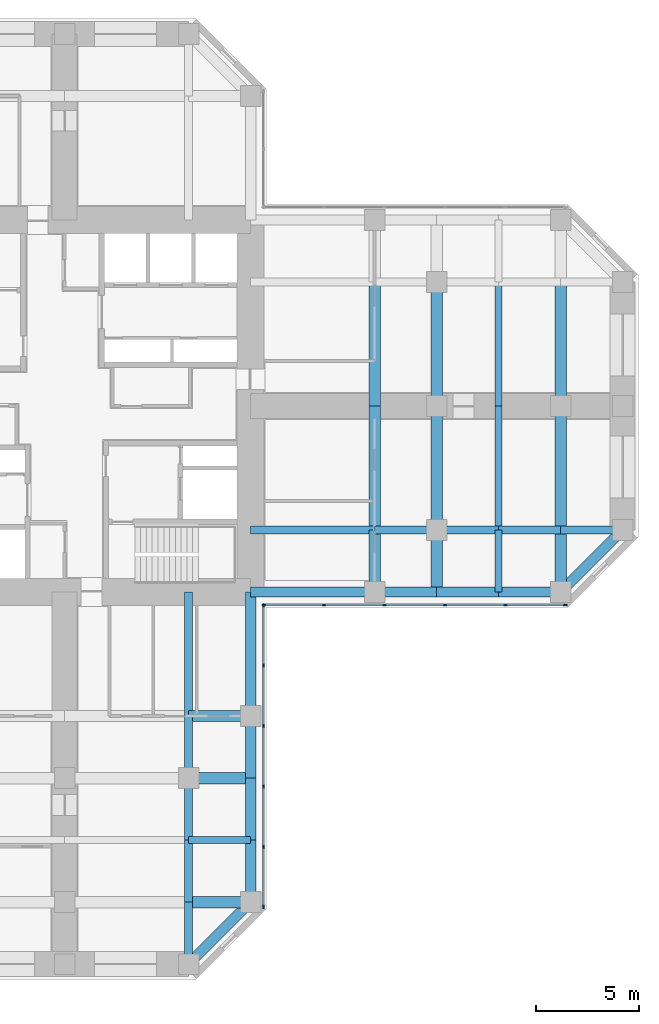
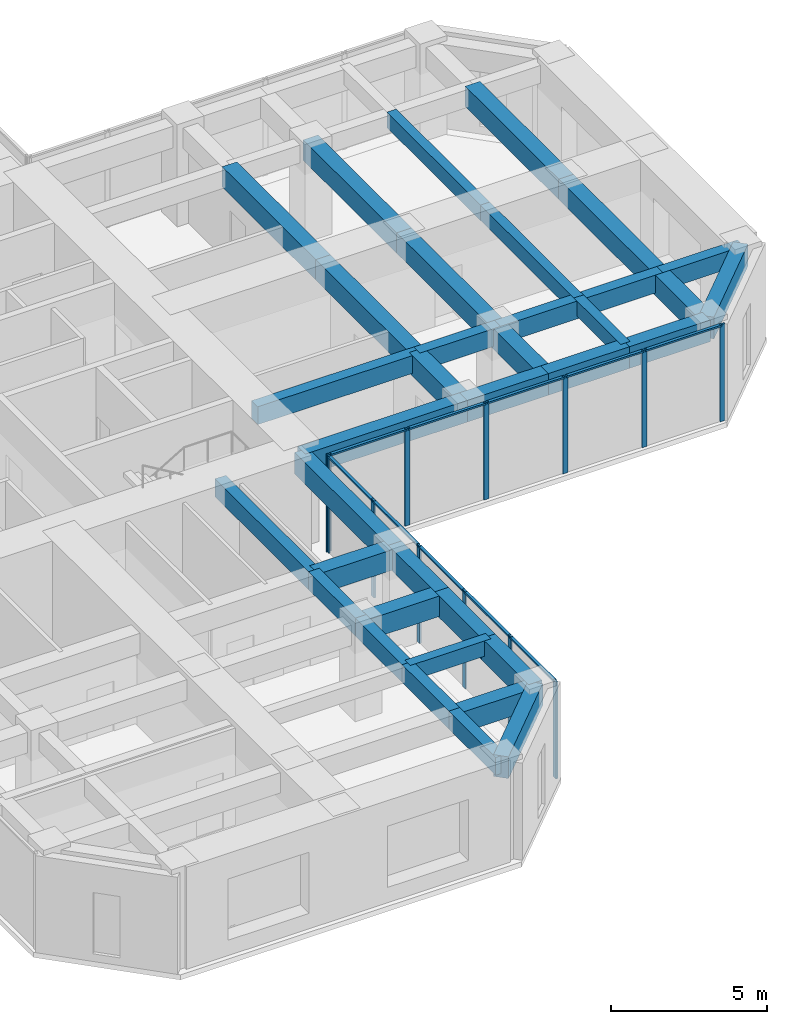
# One storey, part 4 of 12: 36 beams, 22 members, 2 elements without a shape of their own.
"""IFC4 building model written with IfcOpenShell, lengths in metres."""

from ifc_helpers import new_model, si_unit, direction, frame, origin, origin_2d, place, context, subcontext, project, spatial, rectangle, extrude, material, material_profile, profile_set, type_object, element, aggregate, save


model = new_model("IFC4")

# Units and contexts
model_context = context("Model", 3, precision=1e-05, world=origin(), true_north=direction((0.0, 1.0)))
body_context = subcontext(model_context, "Body", "Model", "MODEL_VIEW")
ifc_project = project(units=[si_unit("LENGTHUNIT", "METRE"), si_unit("AREAUNIT", "SQUARE_METRE"), si_unit("VOLUMEUNIT", "CUBIC_METRE"), si_unit("PLANEANGLEUNIT", "RADIAN"), si_unit("MASSUNIT", "GRAM", prefix="KILO")], contexts=[model_context])

# Site, building, storey
site_placement = place(None, origin())
site = spatial("IfcSite", under=ifc_project, at=site_placement, CompositionType="ELEMENT")
building_placement = place(site_placement, origin())
building = spatial("IfcBuilding", under=site, at=building_placement, Name="Torre Cruceta", CompositionType="ELEMENT")
storey_placement = place(building_placement, frame((0.0, 0.0, 136.5)))
storey = spatial("IfcBuildingStorey", under=building, at=storey_placement, Name="L33", CompositionType="ELEMENT", Elevation=136.5)

# Beams
ifc_material_1 = material(Name="Concrete G60 (fck 60 MPa)", Category="concrete")
ifc_material_profile_1 = material_profile(ifc_material_1, rectangle(XDim=0.39990234375, YDim=0.699951171875, at=origin_2d()), Name="RC 400X700")
ifc_profile_set_1 = profile_set([ifc_material_profile_1], Name="Concrete G60 (fck 60 MPa)")
beam_type_1 = type_object("IfcBeamType", Name="COLUMN LINE BEAM RC 400X700", PredefinedType="BEAM", material=ifc_profile_set_1)
beam_1_placement = place(storey_placement, frame((9.0, -6.0, 3.449951171875), z_axis=(1.0, 0.0, 0.0), x_axis=(0.0, 1.0, 0.0)))
element("IfcBeam", 1, at=beam_1_placement, inside=storey, type_object=beam_type_1, Name="LB5 L33 E col- 1", PredefinedType="BEAM", context=body_context, shape_type="SweptSolid", body=[
    extrude(rectangle(XDim=0.39990234375, YDim=0.699951171875, at=origin_2d()), origin(), (0.0, 0.0, 1.0), 6.0),
])
for number, where, z_axis, x_axis, name in (
    (2, (15.0, -6.0, 3.449951171875), (1.0, 0.0, 0.0), (0.0, 1.0, 0.0), "LB5 L33 E col- 2"),
    (3, (18.0, -6.0, 3.449951171875), (1.0, 0.0, 0.0), (0.0, 1.0, 0.0), "LB5 L33 E col- 3"),
    (4, (21.0, -6.0, 3.449951171875), (1.0, 0.0, 0.0), (0.0, 1.0, 0.0), "LB5 L33 E col- 4"),
    (5, (24.0, -6.0, 3.449951171875), (1.0, 0.0, 0.0), (0.0, 1.0, 0.0), "LB5 L33 E col- 5"),
):
    element("IfcBeam", number, at=place(storey_placement, frame(where, z_axis=z_axis, x_axis=x_axis)), inside=storey, type_object=beam_type_1, Name=name, PredefinedType="BEAM", context=body_context, shape_type="SweptSolid", body=[
        extrude(rectangle(XDim=0.39990234375, YDim=0.699951171875, at=origin_2d()), origin(), (0.0, 0.0, 1.0), 3.0),
    ])
beam_2_placement = place(storey_placement, frame((6.0, -9.0, 3.449951171875), z_axis=(0.0, -1.0, 0.0), x_axis=(1.0, 0.0, 0.0)))
element("IfcBeam", 6, at=beam_2_placement, inside=storey, type_object=beam_type_1, Name="LB5 L33 S col+ 1", PredefinedType="BEAM", context=body_context, shape_type="SweptSolid", body=[
    extrude(rectangle(XDim=0.39990234375, YDim=0.699951171875, at=origin_2d()), origin(), (0.0, 0.0, 1.0), 6.0),
])
for number, where, z_axis, x_axis, name in (
    (7, (6.0, -15.0, 3.449951171875), (0.0, -1.0, 0.0), (1.0, 0.0, 0.0), "LB5 L33 S col+ 2"),
    (8, (6.0, -18.0, 3.449951171875), (0.0, -1.0, 0.0), (1.0, 0.0, 0.0), "LB5 L33 S col+ 3"),
    (9, (6.0, -21.0, 3.449951171875), (0.0, -1.0, 0.0), (1.0, 0.0, 0.0), "LB5 L33 S col+ 4"),
    (10, (6.0, -24.0, 3.449951171875), (0.0, -1.0, 0.0), (1.0, 0.0, 0.0), "LB5 L33 S col+ 5"),
):
    element("IfcBeam", number, at=place(storey_placement, frame(where, z_axis=z_axis, x_axis=x_axis)), inside=storey, type_object=beam_type_1, Name=name, PredefinedType="BEAM", context=body_context, shape_type="SweptSolid", body=[
        extrude(rectangle(XDim=0.39990234375, YDim=0.699951171875, at=origin_2d()), origin(), (0.0, 0.0, 1.0), 3.0),
    ])
ifc_material_2 = material(Name="Concrete G60 (fck 60 MPa)", Category="concrete")
ifc_material_profile_2 = material_profile(ifc_material_2, rectangle(XDim=0.550048828125, YDim=0.800048828125, at=origin_2d()), Name="RC 550X800")
ifc_profile_set_2 = profile_set([ifc_material_profile_2], Name="Concrete G60 (fck 60 MPa)")
beam_type_2 = type_object("IfcBeamType", Name="CROSS BEAM RC 550X800", PredefinedType="BEAM", material=ifc_profile_set_2)
beam_3_placement = place(storey_placement, frame((15.0, -9.0, 3.39990234375), z_axis=(0.0, 1.0, 0.0), x_axis=(-1.0, 0.0, 0.0)))
element("IfcBeam", 11, at=beam_3_placement, inside=storey, type_object=beam_type_2, Name="GB5 L33 E cross15 1", PredefinedType="BEAM", context=body_context, shape_type="SweptSolid", body=[
    extrude(rectangle(XDim=0.550048828125, YDim=0.800048828125, at=origin_2d()), origin(), (0.0, 0.0, 1.0), 3.0),
])
for number, where, z_axis, x_axis, name in (
    (12, (15.0, -6.0, 3.39990234375), (0.0, 1.0, 0.0), (-1.0, 0.0, 0.0), "GB5 L33 E cross15 2"),
    (13, (15.0, 0.0, 3.39990234375), (0.0, 1.0, 0.0), (-1.0, 0.0, 0.0), "GB5 L33 E cross15 3"),
):
    element("IfcBeam", number, at=place(storey_placement, frame(where, z_axis=z_axis, x_axis=x_axis)), inside=storey, type_object=beam_type_2, Name=name, PredefinedType="BEAM", context=body_context, shape_type="SweptSolid", body=[
        extrude(rectangle(XDim=0.550048828125, YDim=0.800048828125, at=origin_2d()), origin(), (0.0, 0.0, 1.0), 6.0),
    ])
beam_4_placement = place(storey_placement, frame((18.0, -9.0, 3.39990234375), z_axis=(0.0, 1.0, 0.0), x_axis=(-1.0, 0.0, 0.0)))
element("IfcBeam", 14, at=beam_4_placement, inside=storey, type_object=beam_type_2, Name="GB5 L33 E cross18 1", PredefinedType="BEAM", context=body_context, shape_type="SweptSolid", body=[
    extrude(rectangle(XDim=0.550048828125, YDim=0.800048828125, at=origin_2d()), origin(), (0.0, 0.0, 1.0), 3.0),
])
for number, where, z_axis, x_axis, name in (
    (15, (18.0, -6.0, 3.39990234375), (0.0, 1.0, 0.0), (-1.0, 0.0, 0.0), "GB5 L33 E cross18 2"),
    (16, (18.0, 0.0, 3.39990234375), (0.0, 1.0, 0.0), (-1.0, 0.0, 0.0), "GB5 L33 E cross18 3"),
):
    element("IfcBeam", number, at=place(storey_placement, frame(where, z_axis=z_axis, x_axis=x_axis)), inside=storey, type_object=beam_type_2, Name=name, PredefinedType="BEAM", context=body_context, shape_type="SweptSolid", body=[
        extrude(rectangle(XDim=0.550048828125, YDim=0.800048828125, at=origin_2d()), origin(), (0.0, 0.0, 1.0), 6.0),
    ])
beam_5_placement = place(storey_placement, frame((24.0, -9.0, 3.39990234375), z_axis=(0.0, 1.0, 0.0), x_axis=(-1.0, 0.0, 0.0)))
element("IfcBeam", 17, at=beam_5_placement, inside=storey, type_object=beam_type_2, Name="GB5 L33 E cross24 1", PredefinedType="BEAM", context=body_context, shape_type="SweptSolid", body=[
    extrude(rectangle(XDim=0.550048828125, YDim=0.800048828125, at=origin_2d()), origin(), (0.0, 0.0, 1.0), 3.0),
])
for number, where, z_axis, x_axis, name in (
    (18, (24.0, -6.0, 3.39990234375), (0.0, 1.0, 0.0), (-1.0, 0.0, 0.0), "GB5 L33 E cross24 2"),
    (19, (24.0, 0.0, 3.39990234375), (0.0, 1.0, 0.0), (-1.0, 0.0, 0.0), "GB5 L33 E cross24 3"),
):
    element("IfcBeam", number, at=place(storey_placement, frame(where, z_axis=z_axis, x_axis=x_axis)), inside=storey, type_object=beam_type_2, Name=name, PredefinedType="BEAM", context=body_context, shape_type="SweptSolid", body=[
        extrude(rectangle(XDim=0.550048828125, YDim=0.800048828125, at=origin_2d()), origin(), (0.0, 0.0, 1.0), 6.0),
    ])
for number, where, z_axis, x_axis, name in (
    (20, (6.0, -15.0, 3.39990234375), (1.0, 0.0, 0.0), (0.0, 1.0, 0.0), "GB5 L33 S cross15 4"),
    (21, (6.0, -18.0, 3.39990234375), (1.0, 0.0, 0.0), (0.0, 1.0, 0.0), "GB5 L33 S cross18 4"),
    (22, (6.0, -24.0, 3.39990234375), (1.0, 0.0, 0.0), (0.0, 1.0, 0.0), "GB5 L33 S cross24 4"),
):
    element("IfcBeam", number, at=place(storey_placement, frame(where, z_axis=z_axis, x_axis=x_axis)), inside=storey, type_object=beam_type_2, Name=name, PredefinedType="BEAM", context=body_context, shape_type="SweptSolid", body=[
        extrude(rectangle(XDim=0.550048828125, YDim=0.800048828125, at=origin_2d()), origin(), (0.0, 0.0, 1.0), 3.0),
    ])

# Curtain wall, members
ifc_material_3 = material(Name="Aluminium unitised curtain wall", Category="aluminium")
curtain_wall_type = type_object("IfcCurtainWallType", Name="CURTAIN WALL CW-B OFFICE MID RISE", PredefinedType="USERDEFINED", material=ifc_material_3)
curtain_wall_1_placement = place(storey_placement, origin())
curtain_wall_1 = element("IfcCurtainWall", 23, at=curtain_wall_1_placement, inside=storey, type_object=curtain_wall_type, Name="CW-B L33 E side 00", ObjectType="UNITISED", PredefinedType="USERDEFINED")
ifc_material_4 = material(Name="Aluminium mullion", Category="aluminium")
ifc_material_profile_3 = material_profile(ifc_material_4, rectangle(XDim=0.06494140625, YDim=0.179931640625, at=origin_2d()), Name="AL 65X180")
ifc_profile_set_3 = profile_set([ifc_material_profile_3], Name="Aluminium mullion")
member_type_1 = type_object("IfcMemberType", Name="CW-B MULLION 65X180", PredefinedType="MULLION", material=ifc_profile_set_3)
member_1_placement = place(storey_placement, frame((9.652587890625, -9.6201171875, 0.0), z_axis=(0.0, 0.0, 1.0), x_axis=(0.0, 1.0, 0.0)))
member_1 = element("IfcMember", 24, at=member_1_placement, type_object=member_type_1, Name="CW-B mullion 1", PredefinedType="MULLION", context=body_context, shape_type="SweptSolid", body=[
    extrude(rectangle(XDim=0.06494140625, YDim=0.179931640625, at=origin_2d()), origin(), (0.0, 0.0, 1.0), 3.800048828125),
])
member_2_placement = place(storey_placement, frame((12.54736328125, -9.6201171875, 0.0), z_axis=(0.0, 0.0, 1.0), x_axis=(0.0, 1.0, 0.0)))
member_2 = element("IfcMember", 25, at=member_2_placement, type_object=member_type_1, Name="CW-B mullion 2", PredefinedType="MULLION", context=body_context, shape_type="SweptSolid", body=[
    extrude(rectangle(XDim=0.06494140625, YDim=0.179931640625, at=origin_2d()), origin(), (0.0, 0.0, 1.0), 3.800048828125),
])
member_3_placement = place(storey_placement, frame((15.474609375, -9.6201171875, 0.0), z_axis=(0.0, 0.0, 1.0), x_axis=(0.0, 1.0, 0.0)))
member_3 = element("IfcMember", 26, at=member_3_placement, type_object=member_type_1, Name="CW-B mullion 3", PredefinedType="MULLION", context=body_context, shape_type="SweptSolid", body=[
    extrude(rectangle(XDim=0.06494140625, YDim=0.179931640625, at=origin_2d()), origin(), (0.0, 0.0, 1.0), 3.800048828125),
])
member_4_placement = place(storey_placement, frame((18.402099609375, -9.6201171875, 0.0), z_axis=(0.0, 0.0, 1.0), x_axis=(0.0, 1.0, 0.0)))
member_4 = element("IfcMember", 27, at=member_4_placement, type_object=member_type_1, Name="CW-B mullion 4", PredefinedType="MULLION", context=body_context, shape_type="SweptSolid", body=[
    extrude(rectangle(XDim=0.06494140625, YDim=0.179931640625, at=origin_2d()), origin(), (0.0, 0.0, 1.0), 3.800048828125),
])
member_5_placement = place(storey_placement, frame((21.329345703125, -9.6201171875, 0.0), z_axis=(0.0, 0.0, 1.0), x_axis=(0.0, 1.0, 0.0)))
member_5 = element("IfcMember", 28, at=member_5_placement, type_object=member_type_1, Name="CW-B mullion 5", PredefinedType="MULLION", context=body_context, shape_type="SweptSolid", body=[
    extrude(rectangle(XDim=0.06494140625, YDim=0.179931640625, at=origin_2d()), origin(), (0.0, 0.0, 1.0), 3.800048828125),
])
member_6_placement = place(storey_placement, frame((24.224365234375, -9.6201171875, 0.0), z_axis=(0.0, 0.0, 1.0), x_axis=(0.0, 1.0, 0.0)))
member_6 = element("IfcMember", 29, at=member_6_placement, type_object=member_type_1, Name="CW-B mullion 6", PredefinedType="MULLION", context=body_context, shape_type="SweptSolid", body=[
    extrude(rectangle(XDim=0.06494140625, YDim=0.179931640625, at=origin_2d()), origin(), (0.0, 0.0, 1.0), 3.800048828125),
])

curtain_wall_2_placement = place(storey_placement, origin())
curtain_wall_2 = element("IfcCurtainWall", 30, at=curtain_wall_2_placement, inside=storey, type_object=curtain_wall_type, Name="CW-B L33 S side 19", ObjectType="UNITISED", PredefinedType="USERDEFINED")
member_7_placement = place(storey_placement, frame((9.6201171875, -24.224365234375, 0.0), z_axis=(0.0, 0.0, 1.0), x_axis=(-1.0, 0.0, 0.0)))
member_7 = element("IfcMember", 31, at=member_7_placement, type_object=member_type_1, Name="CW-B mullion 1", PredefinedType="MULLION", context=body_context, shape_type="SweptSolid", body=[
    extrude(rectangle(XDim=0.06494140625, YDim=0.179931640625, at=origin_2d()), origin(), (0.0, 0.0, 1.0), 3.800048828125),
])
member_8_placement = place(storey_placement, frame((9.6201171875, -21.329345703125, 0.0), z_axis=(0.0, 0.0, 1.0), x_axis=(-1.0, 0.0, 0.0)))
member_8 = element("IfcMember", 32, at=member_8_placement, type_object=member_type_1, Name="CW-B mullion 2", PredefinedType="MULLION", context=body_context, shape_type="SweptSolid", body=[
    extrude(rectangle(XDim=0.06494140625, YDim=0.179931640625, at=origin_2d()), origin(), (0.0, 0.0, 1.0), 3.800048828125),
])
member_9_placement = place(storey_placement, frame((9.6201171875, -18.402099609375, 0.0), z_axis=(0.0, 0.0, 1.0), x_axis=(-1.0, 0.0, 0.0)))
member_9 = element("IfcMember", 33, at=member_9_placement, type_object=member_type_1, Name="CW-B mullion 3", PredefinedType="MULLION", context=body_context, shape_type="SweptSolid", body=[
    extrude(rectangle(XDim=0.06494140625, YDim=0.179931640625, at=origin_2d()), origin(), (0.0, 0.0, 1.0), 3.800048828125),
])
member_10_placement = place(storey_placement, frame((9.6201171875, -15.474609375, 0.0), z_axis=(0.0, 0.0, 1.0), x_axis=(-1.0, 0.0, 0.0)))
member_10 = element("IfcMember", 34, at=member_10_placement, type_object=member_type_1, Name="CW-B mullion 4", PredefinedType="MULLION", context=body_context, shape_type="SweptSolid", body=[
    extrude(rectangle(XDim=0.06494140625, YDim=0.179931640625, at=origin_2d()), origin(), (0.0, 0.0, 1.0), 3.800048828125),
])
member_11_placement = place(storey_placement, frame((9.6201171875, -12.54736328125, 0.0), z_axis=(0.0, 0.0, 1.0), x_axis=(-1.0, 0.0, 0.0)))
member_11 = element("IfcMember", 35, at=member_11_placement, type_object=member_type_1, Name="CW-B mullion 5", PredefinedType="MULLION", context=body_context, shape_type="SweptSolid", body=[
    extrude(rectangle(XDim=0.06494140625, YDim=0.179931640625, at=origin_2d()), origin(), (0.0, 0.0, 1.0), 3.800048828125),
])
member_12_placement = place(storey_placement, frame((9.6201171875, -9.652587890625, 0.0), z_axis=(0.0, 0.0, 1.0), x_axis=(-1.0, 0.0, 0.0)))
member_12 = element("IfcMember", 36, at=member_12_placement, type_object=member_type_1, Name="CW-B mullion 6", PredefinedType="MULLION", context=body_context, shape_type="SweptSolid", body=[
    extrude(rectangle(XDim=0.06494140625, YDim=0.179931640625, at=origin_2d()), origin(), (0.0, 0.0, 1.0), 3.800048828125),
])

# Member
ifc_material_5 = material(Name="Aluminium transom", Category="aluminium")
ifc_material_profile_4 = material_profile(ifc_material_5, rectangle(XDim=0.110107421875, YDim=0.06494140625, at=origin_2d()), Name="AL 110X65")
ifc_profile_set_4 = profile_set([ifc_material_profile_4], Name="Aluminium transom")
member_type_2 = type_object("IfcMemberType", Name="CW-B TRANSOM 65X110", PredefinedType="USERDEFINED", material=ifc_profile_set_4)
member_13_placement = place(storey_placement, frame((9.68505859375, -9.6201171875, 3.767578125), z_axis=(1.0, 0.0, 0.0), x_axis=(0.0, 1.0, 0.0)))
member_13 = element("IfcMember", 37, at=member_13_placement, type_object=member_type_2, Name="CW-B transom 1", ObjectType="TRANSOM", PredefinedType="USERDEFINED", context=body_context, shape_type="SweptSolid", body=[
    extrude(rectangle(XDim=0.110107421875, YDim=0.06494140625, at=origin_2d()), origin(), (0.0, 0.0, 1.0), 2.829833984375),
])

member_14_placement = place(storey_placement, frame((12.579833984375, -9.6201171875, 3.767578125), z_axis=(1.0, 0.0, 0.0), x_axis=(0.0, 1.0, 0.0)))
member_14 = element("IfcMember", 38, at=member_14_placement, type_object=member_type_2, Name="CW-B transom 2", ObjectType="TRANSOM", PredefinedType="USERDEFINED", context=body_context, shape_type="SweptSolid", body=[
    extrude(rectangle(XDim=0.110107421875, YDim=0.06494140625, at=origin_2d()), origin(), (0.0, 0.0, 1.0), 2.8623046875),
])

member_15_placement = place(storey_placement, frame((15.50732421875, -9.6201171875, 3.767578125), z_axis=(1.0, 0.0, 0.0), x_axis=(0.0, 1.0, 0.0)))
member_15 = element("IfcMember", 39, at=member_15_placement, type_object=member_type_2, Name="CW-B transom 3", ObjectType="TRANSOM", PredefinedType="USERDEFINED", context=body_context, shape_type="SweptSolid", body=[
    extrude(rectangle(XDim=0.110107421875, YDim=0.06494140625, at=origin_2d()), origin(), (0.0, 0.0, 1.0), 2.8623046875),
])

member_16_placement = place(storey_placement, frame((18.4345703125, -9.6201171875, 3.767578125), z_axis=(1.0, 0.0, 0.0), x_axis=(0.0, 1.0, 0.0)))
member_16 = element("IfcMember", 40, at=member_16_placement, type_object=member_type_2, Name="CW-B transom 4", ObjectType="TRANSOM", PredefinedType="USERDEFINED", context=body_context, shape_type="SweptSolid", body=[
    extrude(rectangle(XDim=0.110107421875, YDim=0.06494140625, at=origin_2d()), origin(), (0.0, 0.0, 1.0), 2.8623046875),
])

member_17_placement = place(storey_placement, frame((21.362060546875, -9.6201171875, 3.767578125), z_axis=(1.0, 0.0, 0.0), x_axis=(0.0, 1.0, 0.0)))
member_17 = element("IfcMember", 41, at=member_17_placement, type_object=member_type_2, Name="CW-B transom 5", ObjectType="TRANSOM", PredefinedType="USERDEFINED", context=body_context, shape_type="SweptSolid", body=[
    extrude(rectangle(XDim=0.110107421875, YDim=0.06494140625, at=origin_2d()), origin(), (0.0, 0.0, 1.0), 2.829833984375),
])

aggregate(curtain_wall_1, [member_1, member_2, member_3, member_4, member_5, member_6, member_13, member_14, member_15, member_16, member_17])

member_18_placement = place(storey_placement, frame((9.6201171875, -24.19189453125, 3.767578125), z_axis=(0.0, 1.0, 0.0), x_axis=(-1.0, 0.0, 0.0)))
member_18 = element("IfcMember", 42, at=member_18_placement, type_object=member_type_2, Name="CW-B transom 1", ObjectType="TRANSOM", PredefinedType="USERDEFINED", context=body_context, shape_type="SweptSolid", body=[
    extrude(rectangle(XDim=0.110107421875, YDim=0.06494140625, at=origin_2d()), origin(), (0.0, 0.0, 1.0), 2.829833984375),
])

member_19_placement = place(storey_placement, frame((9.6201171875, -21.296875, 3.767578125), z_axis=(0.0, 1.0, 0.0), x_axis=(-1.0, 0.0, 0.0)))
member_19 = element("IfcMember", 43, at=member_19_placement, type_object=member_type_2, Name="CW-B transom 2", ObjectType="TRANSOM", PredefinedType="USERDEFINED", context=body_context, shape_type="SweptSolid", body=[
    extrude(rectangle(XDim=0.110107421875, YDim=0.06494140625, at=origin_2d()), origin(), (0.0, 0.0, 1.0), 2.8623046875),
])

member_20_placement = place(storey_placement, frame((9.6201171875, -18.36962890625, 3.767578125), z_axis=(0.0, 1.0, 0.0), x_axis=(-1.0, 0.0, 0.0)))
member_20 = element("IfcMember", 44, at=member_20_placement, type_object=member_type_2, Name="CW-B transom 3", ObjectType="TRANSOM", PredefinedType="USERDEFINED", context=body_context, shape_type="SweptSolid", body=[
    extrude(rectangle(XDim=0.110107421875, YDim=0.06494140625, at=origin_2d()), origin(), (0.0, 0.0, 1.0), 2.8623046875),
])

member_21_placement = place(storey_placement, frame((9.6201171875, -15.442138671875, 3.767578125), z_axis=(0.0, 1.0, 0.0), x_axis=(-1.0, 0.0, 0.0)))
member_21 = element("IfcMember", 45, at=member_21_placement, type_object=member_type_2, Name="CW-B transom 4", ObjectType="TRANSOM", PredefinedType="USERDEFINED", context=body_context, shape_type="SweptSolid", body=[
    extrude(rectangle(XDim=0.110107421875, YDim=0.06494140625, at=origin_2d()), origin(), (0.0, 0.0, 1.0), 2.8623046875),
])

member_22_placement = place(storey_placement, frame((9.6201171875, -12.514892578125, 3.767578125), z_axis=(0.0, 1.0, 0.0), x_axis=(-1.0, 0.0, 0.0)))
member_22 = element("IfcMember", 46, at=member_22_placement, type_object=member_type_2, Name="CW-B transom 5", ObjectType="TRANSOM", PredefinedType="USERDEFINED", context=body_context, shape_type="SweptSolid", body=[
    extrude(rectangle(XDim=0.110107421875, YDim=0.06494140625, at=origin_2d()), origin(), (0.0, 0.0, 1.0), 2.829833984375),
])

aggregate(curtain_wall_2, [member_7, member_8, member_9, member_10, member_11, member_12, member_18, member_19, member_20, member_21, member_22])

# Beams
ifc_material_6 = material(Name="Concrete G60 (fck 60 MPa)", Category="concrete")
ifc_material_profile_5 = material_profile(ifc_material_6, rectangle(XDim=0.35009765625, YDim=0.60009765625, at=origin_2d()), Name="RC 350X600")
ifc_profile_set_5 = profile_set([ifc_material_profile_5], Name="Concrete G60 (fck 60 MPa)")
beam_type_3 = type_object("IfcBeamType", Name="SECONDARY BEAM RC 350X600", PredefinedType="JOIST", material=ifc_profile_set_5)
beam_6_placement = place(storey_placement, frame((21.0, -9.0, 3.5), z_axis=(0.0, 1.0, 0.0), x_axis=(-1.0, 0.0, 0.0)))
element("IfcBeam", 47, at=beam_6_placement, inside=storey, type_object=beam_type_3, Name="JB5 L33 E sec21 1", PredefinedType="JOIST", context=body_context, shape_type="SweptSolid", body=[
    extrude(rectangle(XDim=0.35009765625, YDim=0.60009765625, at=origin_2d()), origin(), (0.0, 0.0, 1.0), 3.0),
])
for number, where, z_axis, x_axis, name in (
    (48, (21.0, -6.0, 3.5), (0.0, 1.0, 0.0), (-1.0, 0.0, 0.0), "JB5 L33 E sec21 2"),
    (49, (21.0, 0.0, 3.5), (0.0, 1.0, 0.0), (-1.0, 0.0, 0.0), "JB5 L33 E sec21 3"),
):
    element("IfcBeam", number, at=place(storey_placement, frame(where, z_axis=z_axis, x_axis=x_axis)), inside=storey, type_object=beam_type_3, Name=name, PredefinedType="JOIST", context=body_context, shape_type="SweptSolid", body=[
        extrude(rectangle(XDim=0.35009765625, YDim=0.60009765625, at=origin_2d()), origin(), (0.0, 0.0, 1.0), 6.0),
    ])
beam_7_placement = place(storey_placement, frame((6.0, -21.0, 3.5), z_axis=(1.0, 0.0, 0.0), x_axis=(0.0, 1.0, 0.0)))
element("IfcBeam", 50, at=beam_7_placement, inside=storey, type_object=beam_type_3, Name="JB5 L33 S sec21 4", PredefinedType="JOIST", context=body_context, shape_type="SweptSolid", body=[
    extrude(rectangle(XDim=0.35009765625, YDim=0.60009765625, at=origin_2d()), origin(), (0.0, 0.0, 1.0), 3.0),
])
ifc_material_7 = material(Name="Concrete G60 (fck 60 MPa)", Category="concrete")
ifc_material_profile_6 = material_profile(ifc_material_7, rectangle(XDim=0.5, YDim=0.85009765625, at=origin_2d()), Name="RC 500X850")
ifc_profile_set_6 = profile_set([ifc_material_profile_6], Name="Concrete G60 (fck 60 MPa)")
beam_type_4 = type_object("IfcBeamType", Name="SPANDREL BEAM RC 500X850", PredefinedType="SPANDREL", material=ifc_profile_set_6)
beam_8_placement = place(storey_placement, frame((9.0, -9.0, 3.375), z_axis=(1.0, 0.0, 0.0), x_axis=(0.0, 1.0, 0.0)))
element("IfcBeam", 51, at=beam_8_placement, inside=storey, type_object=beam_type_4, Name="SB5 L33 E side- 1", PredefinedType="SPANDREL", context=body_context, shape_type="SweptSolid", body=[
    extrude(rectangle(XDim=0.5, YDim=0.85009765625, at=origin_2d()), origin(), (0.0, 0.0, 1.0), 6.0),
])
for number, where, z_axis, x_axis, name in (
    (52, (15.0, -9.0, 3.375), (1.0, 0.0, 0.0), (0.0, 1.0, 0.0), "SB5 L33 E side- 2"),
    (53, (18.0, -9.0, 3.375), (1.0, 0.0, 0.0), (0.0, 1.0, 0.0), "SB5 L33 E side- 3"),
    (54, (21.0, -9.0, 3.375), (1.0, 0.0, 0.0), (0.0, 1.0, 0.0), "SB5 L33 E side- 4"),
):
    element("IfcBeam", number, at=place(storey_placement, frame(where, z_axis=z_axis, x_axis=x_axis)), inside=storey, type_object=beam_type_4, Name=name, PredefinedType="SPANDREL", context=body_context, shape_type="SweptSolid", body=[
        extrude(rectangle(XDim=0.5, YDim=0.85009765625, at=origin_2d()), origin(), (0.0, 0.0, 1.0), 3.0),
    ])
beam_9_placement = place(storey_placement, frame((24.0, -9.0, 3.375), z_axis=(0.707106781187, 0.707106781187, 0.0), x_axis=(-0.707106781187, 0.707106781187, 0.0)))
element("IfcBeam", 55, at=beam_9_placement, inside=storey, type_object=beam_type_4, Name="SB5 L33 E side- 5", PredefinedType="SPANDREL", context=body_context, shape_type="SweptSolid", body=[
    extrude(rectangle(XDim=0.5, YDim=0.85009765625, at=origin_2d()), origin(), (0.0, 0.0, 1.0), 4.24267578125),
])
beam_10_placement = place(storey_placement, frame((9.0, -9.0, 3.375), z_axis=(0.0, -1.0, 0.0), x_axis=(1.0, 0.0, 0.0)))
element("IfcBeam", 56, at=beam_10_placement, inside=storey, type_object=beam_type_4, Name="SB5 L33 S side+ 1", PredefinedType="SPANDREL", context=body_context, shape_type="SweptSolid", body=[
    extrude(rectangle(XDim=0.5, YDim=0.85009765625, at=origin_2d()), origin(), (0.0, 0.0, 1.0), 6.0),
])
for number, where, z_axis, x_axis, name in (
    (57, (9.0, -15.0, 3.375), (0.0, -1.0, 0.0), (1.0, 0.0, 0.0), "SB5 L33 S side+ 2"),
    (58, (9.0, -18.0, 3.375), (0.0, -1.0, 0.0), (1.0, 0.0, 0.0), "SB5 L33 S side+ 3"),
    (59, (9.0, -21.0, 3.375), (0.0, -1.0, 0.0), (1.0, 0.0, 0.0), "SB5 L33 S side+ 4"),
):
    element("IfcBeam", number, at=place(storey_placement, frame(where, z_axis=z_axis, x_axis=x_axis)), inside=storey, type_object=beam_type_4, Name=name, PredefinedType="SPANDREL", context=body_context, shape_type="SweptSolid", body=[
        extrude(rectangle(XDim=0.5, YDim=0.85009765625, at=origin_2d()), origin(), (0.0, 0.0, 1.0), 3.0),
    ])
beam_11_placement = place(storey_placement, frame((9.0, -24.0, 3.375), z_axis=(-0.707106781187, -0.707106781187, 0.0), x_axis=(0.707106781187, -0.707106781187, 0.0)))
element("IfcBeam", 60, at=beam_11_placement, inside=storey, type_object=beam_type_4, Name="SB5 L33 S side+ 5", PredefinedType="SPANDREL", context=body_context, shape_type="SweptSolid", body=[
    extrude(rectangle(XDim=0.5, YDim=0.85009765625, at=origin_2d()), origin(), (0.0, 0.0, 1.0), 4.24267578125),
])

save(model, "model.ifc")
